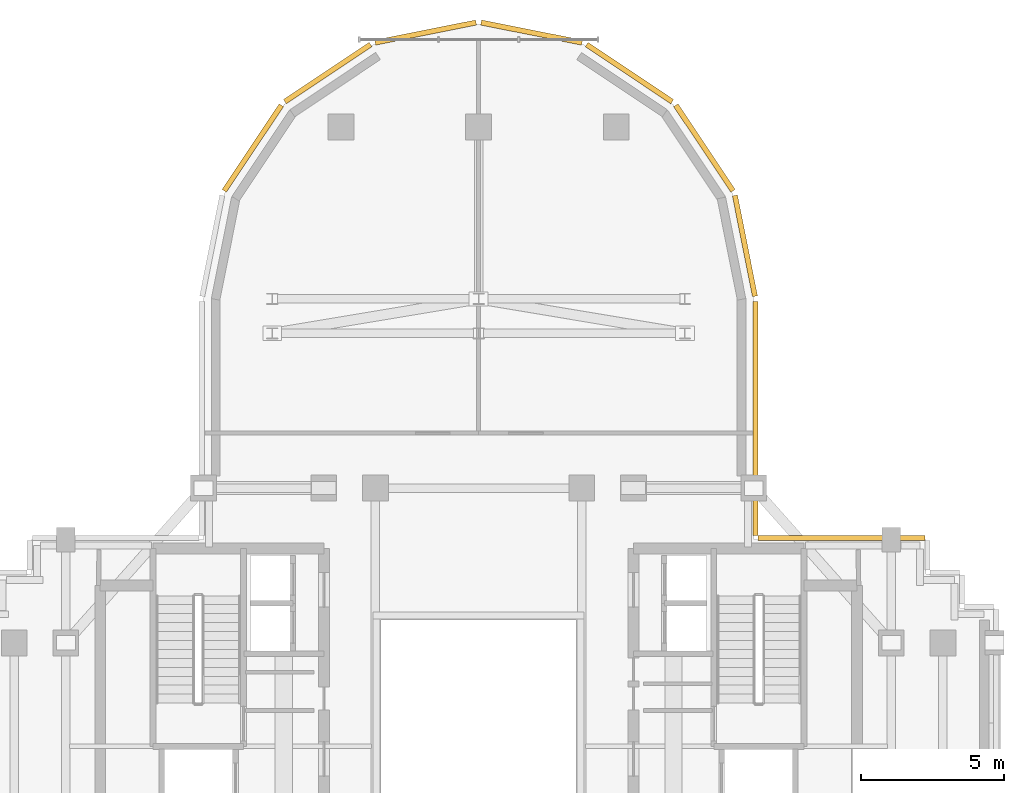
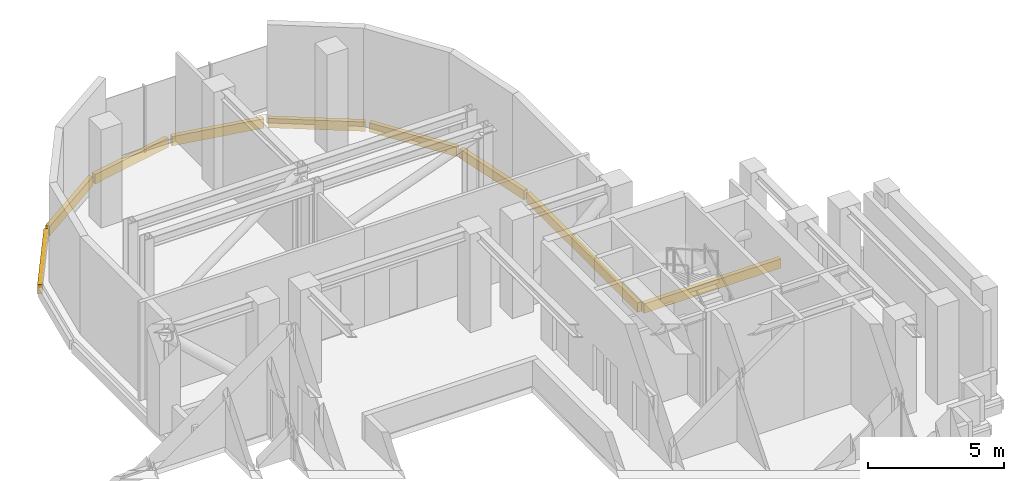
# One storey, part 11 of 11: 9 coverings.
"""IFC4 building model written with IfcOpenShell, lengths in metres."""

import ifcopenshell
import ifcopenshell.guid

model = None  # the IFC model being written
_history = None  # IfcOwnerHistory: only IFC2X3 demands one
_inside = {}  # id of a spatial element -> (the spatial element, [elements in it])
_under = {}  # id of a project, library or spatial element -> (it, [spatial elements below it])
_declared = {}  # id of a project -> (the project, [libraries it declares])
_typed = {}  # id of a type object -> (the type object, [elements of that type])
_made_of = {}  # id of a material, layer set ... -> (it, [elements and type objects made of it])


def new_model(schema):
    """Start an empty IFC model of exactly this schema.

    Asked for "IFC4X3", IfcOpenShell would pick the latest addendum, in which some entities
    have other attributes; the version numbers below select the first issue.
    IFC2X3 requires an IfcOwnerHistory on every rooted entity: one is made here for all.
    """
    global model, _history
    if schema == "IFC4X3":
        model = ifcopenshell.file(schema_version=(4, 3, 0, 0))
    else:
        model = ifcopenshell.file(schema=schema)
    _inside.clear()
    _under.clear()
    _declared.clear()
    _typed.clear()
    _made_of.clear()
    _history = None
    if model.schema == "IFC2X3":
        org = make("IfcOrganization", Name="unknown")
        user = make(
            "IfcPersonAndOrganization",
            ThePerson=make("IfcPerson", FamilyName="unknown"),
            TheOrganization=org,
        )
        app = make(
            "IfcApplication",
            ApplicationDeveloper=org,
            Version="unknown",
            ApplicationFullName="unknown",
            ApplicationIdentifier="unknown",
        )
        _history = make(
            "IfcOwnerHistory",
            OwningUser=user,
            OwningApplication=app,
            ChangeAction="ADDED",
            CreationDate=0,
        )
    return model


def make(cls, **values):
    """One entity of the class cls with the attributes given. An attribute that is None is left unset."""
    return model.create_entity(
        cls, **{name: value for name, value in values.items() if value is not None}
    )


def rooted(cls, **values):
    """An entity with a GlobalId (a new one), such as an element, a storey or a relation."""
    return make(cls, GlobalId=ifcopenshell.guid.new(), OwnerHistory=_history, **values)


def si_unit(unit_type, name, prefix=None):
    """IfcSIUnit, for example si_unit("LENGTHUNIT", "METRE", prefix="MILLI")."""
    return make("IfcSIUnit", UnitType=unit_type, Prefix=prefix, Name=name)


def assignment(units):
    """IfcUnitAssignment: the units of a project."""
    return None if units is None else make("IfcUnitAssignment", Units=units)


def point(xyz):
    """IfcCartesianPoint."""
    return None if xyz is None else make("IfcCartesianPoint", Coordinates=xyz)


def direction(xyz):
    """IfcDirection."""
    return None if xyz is None else make("IfcDirection", DirectionRatios=xyz)


def frame(location, z_axis=None, x_axis=None):
    """IfcAxis2Placement3D, a coordinate frame: its origin and axes. An axis left out is left unset."""
    return make(
        "IfcAxis2Placement3D",
        Location=point(location),
        Axis=direction(z_axis),
        RefDirection=direction(x_axis),
    )


def frame_2d(location, x_axis=None):
    """IfcAxis2Placement2D, a coordinate frame in the plane: its origin and x axis."""
    return make(
        "IfcAxis2Placement2D", Location=point(location), RefDirection=direction(x_axis)
    )


def origin():
    """The frame at (0, 0, 0) with its axes left unset."""
    return frame((0.0, 0.0, 0.0))


def origin_2d():
    """The frame at (0, 0) in the plane with its x axis left unset."""
    return frame_2d((0.0, 0.0))


def place(relative_to, where):
    """IfcLocalPlacement: puts the frame where relative to a parent placement (None: the world)."""
    return make(
        "IfcLocalPlacement", PlacementRelTo=relative_to, RelativePlacement=where
    )


def context(
    kind, dimensions, precision=None, world=None, true_north=None, identifier=None
):
    """IfcGeometricRepresentationContext, for example the 3D "Model" context."""
    return make(
        "IfcGeometricRepresentationContext",
        ContextIdentifier=identifier,
        ContextType=kind,
        CoordinateSpaceDimension=dimensions,
        Precision=precision,
        WorldCoordinateSystem=world,
        TrueNorth=true_north,
    )


def subcontext(parent, identifier, kind, view, scale=None):
    """IfcGeometricRepresentationSubContext, for example "Body" below "Model"."""
    return make(
        "IfcGeometricRepresentationSubContext",
        ContextIdentifier=identifier,
        ContextType=kind,
        ParentContext=parent,
        TargetScale=scale,
        TargetView=view,
    )


def project(units=None, contexts=None):
    """IfcProject with its units and contexts."""
    return rooted(
        "IfcProject",
        Name="project",
        RepresentationContexts=contexts,
        UnitsInContext=assignment(units),
    )


def spatial(cls, under=None, at=None, **own):
    """A site, building, storey or space (cls), placed at a placement, below another one or the project."""
    s = rooted(cls, ObjectPlacement=at, **own)
    if under is not None:
        _under.setdefault(under.id(), (under, []))[1].append(s)
    return s


def profile(cls, at=None, kind="AREA", **sizes):
    """A parametric profile (cls). Its sizes go by their IFC names, for example OverallWidth=200.0."""
    return make(cls, ProfileType=kind, Position=at, **sizes)


def rectangle(**sizes):
    """IfcRectangleProfileDef."""
    return profile("IfcRectangleProfileDef", **sizes)


def extrude(swept, where, along, depth):
    """IfcExtrudedAreaSolid: the profile swept, set in the frame where, extruded along a direction by depth."""
    return make(
        "IfcExtrudedAreaSolid",
        SweptArea=swept,
        Position=where,
        ExtrudedDirection=direction(along),
        Depth=depth,
    )


def shape(context_of_items, identifier, shape_type, items):
    """IfcShapeRepresentation: the items that make up one representation, for example the "Body"."""
    return make(
        "IfcShapeRepresentation",
        ContextOfItems=context_of_items,
        RepresentationIdentifier=identifier,
        RepresentationType=shape_type,
        Items=items,
    )


def source(mapping_origin, context_of_items, identifier, shape_type, items):
    """IfcRepresentationMap: a shape defined once, which mapped items show again and again."""
    return make(
        "IfcRepresentationMap",
        MappingOrigin=mapping_origin,
        MappedRepresentation=shape(context_of_items, identifier, shape_type, items),
    )


def transform(
    local_origin,
    x_axis=None,
    y_axis=None,
    z_axis=None,
    scale=None,
    scale2=None,
    scale3=None,
    uniform=True,
):
    """IfcCartesianTransformationOperator3D, or its non-uniform kind. x_axis, y_axis, z_axis: its Axis1, 2, 3."""
    if uniform:
        return make(
            "IfcCartesianTransformationOperator3D",
            Axis1=direction(x_axis),
            Axis2=direction(y_axis),
            LocalOrigin=point(local_origin),
            Scale=scale,
            Axis3=direction(z_axis),
        )
    return make(
        "IfcCartesianTransformationOperator3DnonUniform",
        Axis1=direction(x_axis),
        Axis2=direction(y_axis),
        LocalOrigin=point(local_origin),
        Scale=scale,
        Axis3=direction(z_axis),
        Scale2=scale2,
        Scale3=scale3,
    )


def mapped(mapping_source, mapping_target):
    """IfcMappedItem: shows the shape of a source again, moved by a transform."""
    return make(
        "IfcMappedItem", MappingSource=mapping_source, MappingTarget=mapping_target
    )


def material(Name=None, Category=None):
    """IfcMaterial."""
    return make("IfcMaterial", Name=Name, Category=Category)


def layer(
    of_material, thickness, ventilated=None, Name=None, Category=None, Priority=None
):
    """IfcMaterialLayer: one layer of a wall or slab, of a material (None: an air gap)."""
    return make(
        "IfcMaterialLayer",
        Material=of_material,
        LayerThickness=thickness,
        IsVentilated=ventilated,
        Name=Name,
        Category=Category,
        Priority=Priority,
    )


def layer_set(layers, Name=None):
    """IfcMaterialLayerSet."""
    return make("IfcMaterialLayerSet", MaterialLayers=layers, LayerSetName=Name)


def made_of(thing, what):
    """Note that an element or type object is made of a material, layer set ...; save() writes the relation."""
    if what is not None:
        _made_of.setdefault(what.id(), (what, []))[1].append(thing)
    return thing


def type_object(cls, material=None, **own):
    """A type object (cls), such as IfcWallType, which elements share."""
    return made_of(rooted(cls, **own), material)


def element(
    cls,
    number,
    at=None,
    inside=None,
    cuts=None,
    type_object=None,
    material=None,
    context=None,
    identifier="Body",
    shape_type=None,
    held_by="IfcProductDefinitionShape",
    body=None,
    shapes=None,
    **own,
):
    """One element of the class cls, such as IfcWall. Its Tag is "e" and its number.

    at: its placement. inside: the storey or other place that contains it. cuts: it is an
    opening in that element (IfcRelVoidsElement). A single representation is given by context,
    identifier, shape_type and body (its items); several are given by shapes. held_by: the class
    of the entity that holds the representations. save() writes the other relations.
    """
    e = rooted(cls, Tag="e%d" % number, ObjectPlacement=at, **own)
    if body is not None:
        shapes = [shape(context, identifier, shape_type, body)]
    if shapes is not None:
        e.Representation = make(held_by, Representations=shapes)
    if inside is not None:
        _inside.setdefault(inside.id(), (inside, []))[1].append(e)
    if cuts is not None:
        rooted(
            "IfcRelVoidsElement", RelatingBuildingElement=cuts, RelatedOpeningElement=e
        )
    if type_object is not None:
        _typed.setdefault(type_object.id(), (type_object, []))[1].append(e)
    return made_of(e, material)


def aggregate(whole, parts):
    """IfcRelAggregates: a whole, such as a stair, and the parts it consists of."""
    return rooted("IfcRelAggregates", RelatingObject=whole, RelatedObjects=parts)


def save(model, path):
    """Write the relations noted so far, then the file.

    IfcRelAggregates (storeys below a building ...), IfcRelContainedInSpatialStructure (elements
    in a storey), IfcRelDefinesByType, IfcRelAssociatesMaterial and IfcRelDeclares: one each for
    every whole, place, type object, material and project.
    """
    for whole, parts in _under.values():
        aggregate(whole, parts)
    for where, things in _inside.values():
        rooted(
            "IfcRelContainedInSpatialStructure",
            RelatedElements=things,
            RelatingStructure=where,
        )
    for kind, things in _typed.values():
        rooted("IfcRelDefinesByType", RelatedObjects=things, RelatingType=kind)
    for what, things in _made_of.values():
        rooted("IfcRelAssociatesMaterial", RelatedObjects=things, RelatingMaterial=what)
    for by, libraries in _declared.values():
        rooted("IfcRelDeclares", RelatingContext=by, RelatedDefinitions=libraries)
    model.write(path)


model = new_model("IFC4")

# Units and contexts
model_context = context("Model", 3, precision=1e-05, world=origin(), true_north=direction((0.0, 1.0)))
body_context = subcontext(model_context, "Body", "Model", "MODEL_VIEW")
ifc_project = project(units=[si_unit("LENGTHUNIT", "METRE"), si_unit("AREAUNIT", "SQUARE_METRE"), si_unit("VOLUMEUNIT", "CUBIC_METRE"), si_unit("PLANEANGLEUNIT", "RADIAN"), si_unit("MASSUNIT", "GRAM", prefix="KILO")], contexts=[model_context])

# Site, building, storey
site_placement = place(None, origin())
site = spatial("IfcSite", under=ifc_project, at=site_placement, CompositionType="ELEMENT")
building_placement = place(site_placement, origin())
building = spatial("IfcBuilding", under=site, at=building_placement, Name="Keilestroom Media Tower", CompositionType="ELEMENT")
storey_placement = place(building_placement, frame((0.0, 0.0, 214.800048828125)))
storey = spatial("IfcBuildingStorey", under=building, at=storey_placement, Name="L59", CompositionType="ELEMENT", Elevation=214.800048828125)

# Coverings
ifc_material = material(Name="Precast concrete C40/50", Category="concrete")
ifc_layer = layer(ifc_material, 0.1201171875)
ifc_layer_set = layer_set([ifc_layer], Name="Precast concrete C40/50")
covering_type = type_object("IfcCoveringType", Name="Exterior-Precast-Spandrel-Cladding-Panel-120", PredefinedType="CLADDING", material=ifc_layer_set)
shared_shape_1 = source(origin(), body_context, "Body", "SweptSolid", [
    extrude(rectangle(XDim=8.166015625, YDim=0.179931640625, at=origin_2d()), origin(), (0.0, 0.0, 1.0), 0.419921875),
])
covering_1_placement = place(storey_placement, frame((9.659912109375, 11.43310546875, -0.60009765625), z_axis=(0.0, 0.0, 1.0), x_axis=(0.0, -1.0, 0.0)))
element("IfcCovering", 1, at=covering_1_placement, inside=storey, type_object=covering_type, Name="L59 Precast Slab-Edge Fascia Cornice 36", PredefinedType="CLADDING", context=body_context, shape_type="MappedRepresentation", body=[
    mapped(shared_shape_1, transform((0.0, 0.0, 0.0), x_axis=(1.0, 0.0, 0.0), y_axis=(0.0, 1.0, 0.0), z_axis=(0.0, 0.0, 1.0), scale=1.0)),
])
shared_shape_2 = source(origin(), body_context, "Body", "SweptSolid", [
    extrude(rectangle(XDim=3.58349609375, YDim=0.179931640625, at=origin_2d()), origin(), (0.0, 0.0, 1.0), 0.419921875),
])
covering_2_placement = place(storey_placement, frame((9.29296875, 17.45166015625, -0.60009765625), z_axis=(0.0, 0.0, 1.0), x_axis=(0.195098880975, -0.980783577882, 0.0)))
element("IfcCovering", 2, at=covering_2_placement, inside=storey, type_object=covering_type, Name="L59 Precast Slab-Edge Fascia Cornice 35", PredefinedType="CLADDING", context=body_context, shape_type="MappedRepresentation", body=[
    mapped(shared_shape_2, transform((0.0, 0.0, 0.0), x_axis=(1.0, 0.0, 0.0), y_axis=(0.0, 1.0, 0.0), z_axis=(0.0, 0.0, 1.0), scale=1.0)),
])
shared_shape_3 = source(origin(), body_context, "Body", "SweptSolid", [
    extrude(rectangle(XDim=3.589599609375, YDim=0.179931640625, at=origin_2d()), origin(), (0.0, 0.0, 1.0), 0.419921875),
])
for number, where, z_axis, x_axis, name in (
    (3, (-7.878662109375, 20.8642578125, -0.60009765625), (0.0, 0.0, 1.0), (0.555574586577, 0.831466703332, 0.0), "L59 Precast Slab-Edge Fascia Cornice 29"),
    (4, (-5.264404296875, 23.478515625, -0.60009765625), (0.0, 0.0, 1.0), (0.831466703332, 0.555574586577, 0.0), "L59 Precast Slab-Edge Fascia Cornice 30"),
    (5, (-1.8486328125, 24.893310546875, -0.60009765625), (0.0, 0.0, 1.0), (0.980783577882, 0.195098880975, 0.0), "L59 Precast Slab-Edge Fascia Cornice 31"),
    (6, (1.8486328125, 24.893310546875, -0.60009765625), (0.0, 0.0, 1.0), (0.980783577882, -0.195098880975, 0.0), "L59 Precast Slab-Edge Fascia Cornice 32"),
    (7, (5.264404296875, 23.478515625, -0.60009765625), (0.0, 0.0, 1.0), (0.831466703332, -0.555574586577, 0.0), "L59 Precast Slab-Edge Fascia Cornice 33"),
    (8, (7.878662109375, 20.8642578125, -0.60009765625), (0.0, 0.0, 1.0), (0.555574586577, -0.831466703332, 0.0), "L59 Precast Slab-Edge Fascia Cornice 34"),
):
    element("IfcCovering", number, at=place(storey_placement, frame(where, z_axis=z_axis, x_axis=x_axis)), inside=storey, type_object=covering_type, Name=name, PredefinedType="CLADDING", context=body_context, shape_type="MappedRepresentation", body=[
        mapped(shared_shape_3, transform((0.0, 0.0, 0.0), x_axis=(1.0, 0.0, 0.0), y_axis=(0.0, 1.0, 0.0), z_axis=(0.0, 0.0, 1.0), scale=1.0)),
    ])
shared_shape_4 = source(origin(), body_context, "Body", "SweptSolid", [
    extrude(rectangle(XDim=5.820068359375, YDim=0.179931640625, at=origin_2d()), origin(), (0.0, 0.0, 1.0), 0.419921875),
])
covering_3_placement = place(storey_placement, frame((12.659912109375, 7.260009765625, -0.60009765625), z_axis=(0.0, 0.0, 1.0), x_axis=(1.0, 0.0, 0.0)))
element("IfcCovering", 9, at=covering_3_placement, inside=storey, type_object=covering_type, Name="L59 Precast Slab-Edge Fascia Cornice 37", PredefinedType="CLADDING", context=body_context, shape_type="MappedRepresentation", body=[
    mapped(shared_shape_4, transform((0.0, 0.0, 0.0), x_axis=(1.0, 0.0, 0.0), y_axis=(0.0, 1.0, 0.0), z_axis=(0.0, 0.0, 1.0), scale=1.0)),
])

save(model, "model.ifc")
